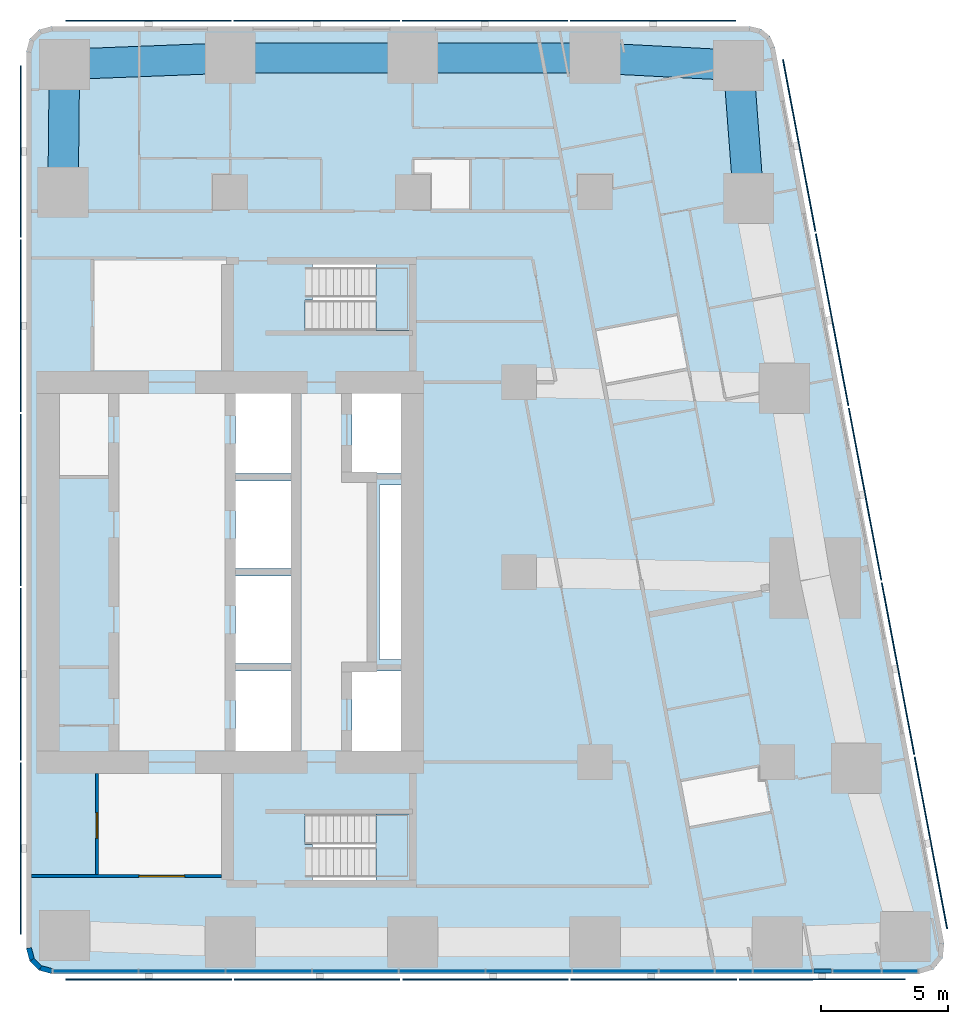
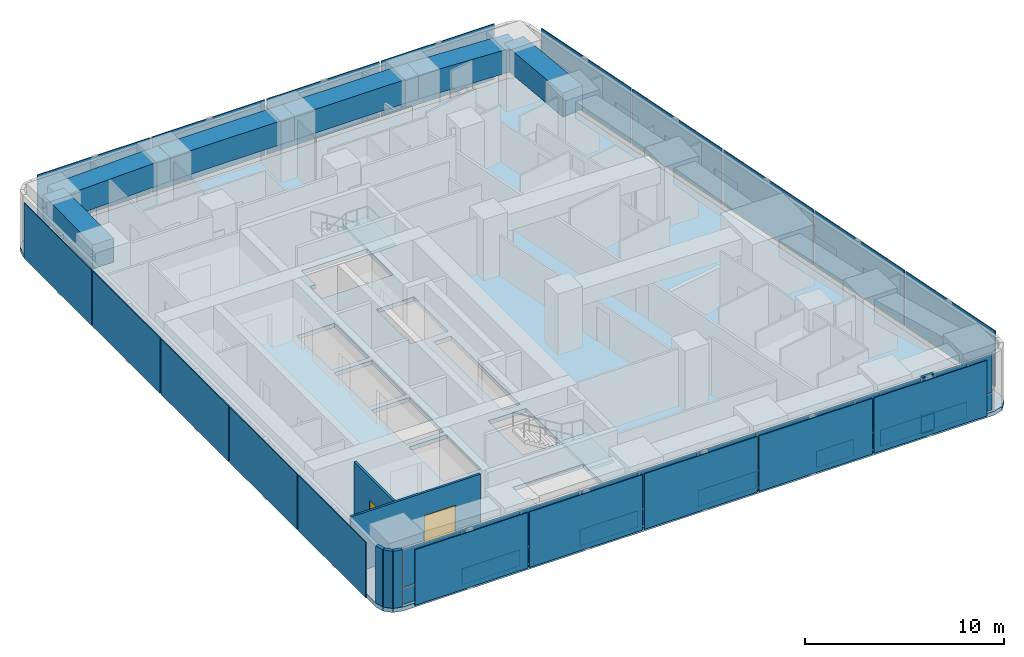
# One storey, part 4 of 10: 45 plates, 6 beams, 5 walls, 3 members, 3 slabs, 2 doors, 2 openings, 3 elements without a shape of their own.
"""IFC4 building model written with IfcOpenShell, lengths in metres."""

from ifc_helpers import new_model, si_unit, direction, frame, frame_2d, origin, origin_2d, place, context, subcontext, project, spatial, polyline, rectangle, outline, extrude, material, layer, layer_set, material_profile, profile_set, type_object, element, fill, aggregate, save


model = new_model("IFC4")

# Units and contexts
model_context = context("Model", 3, precision=1e-05, world=origin(), true_north=direction((0.0, 1.0)))
body_context = subcontext(model_context, "Body", "Model", "MODEL_VIEW")
ifc_project = project(units=[si_unit("LENGTHUNIT", "METRE"), si_unit("AREAUNIT", "SQUARE_METRE"), si_unit("VOLUMEUNIT", "CUBIC_METRE"), si_unit("PLANEANGLEUNIT", "RADIAN"), si_unit("MASSUNIT", "GRAM", prefix="KILO")], contexts=[model_context])

# Site, building, storey
site_placement = place(None, origin())
site = spatial("IfcSite", under=ifc_project, at=site_placement, CompositionType="ELEMENT")
building_placement = place(site_placement, origin())
building = spatial("IfcBuilding", under=site, at=building_placement, Name="Sheger Commons Tower", CompositionType="ELEMENT")
storey_placement = place(building_placement, frame((0.0, 0.0, 289.10009765625)))
storey = spatial("IfcBuildingStorey", under=building, at=storey_placement, Name="L74", CompositionType="ELEMENT", Elevation=289.10009765625)

# Beams
ifc_material_1 = material(Name="Concrete C50/60", Category="concrete")
ifc_material_profile_1 = material_profile(ifc_material_1, rectangle(XDim=1.199951171875, YDim=1.449951171875, at=origin_2d()), Name="RC 1200x1450")
ifc_profile_set_1 = profile_set([ifc_material_profile_1], Name="Concrete C50/60")
beam_type = type_object("IfcBeamType", Name="SPANDREL RC 1200x1450", PredefinedType="SPANDREL", material=ifc_profile_set_1)
beam_1_placement = place(storey_placement, frame((42.06396484375, 37.262939453125, 2.77490234375), z_axis=(-0.075496345854, 0.997146078447, 0.0), x_axis=(-0.997146078447, -0.075496345854, 0.0)))
element("IfcBeam", 1, at=beam_1_placement, inside=storey, type_object=beam_type, Name="Beam E/F-E/G-1.8 under L75", PredefinedType="SPANDREL", context=body_context, shape_type="SweptSolid", body=[
    extrude(rectangle(XDim=1.199951171875, YDim=1.449951171875, at=origin_2d()), origin(), (0.0, 0.0, 1.0), 5.258056640625),
])
beam_2_placement = place(storey_placement, frame((41.6669921875, 42.506103515625, 2.77490234375), z_axis=(-0.998657474351, 0.051800086124, 0.0), x_axis=(-0.051800086124, -0.998657474351, 0.0)))
element("IfcBeam", 2, at=beam_2_placement, inside=storey, type_object=beam_type, Name="Beam E/G-1.8-6/G-1.8 under L75", PredefinedType="SPANDREL", context=body_context, shape_type="SweptSolid", body=[
    extrude(rectangle(XDim=1.199951171875, YDim=1.449951171875, at=origin_2d()), origin(), (0.0, 0.0, 1.0), 5.674560546875),
])
for number, where, z_axis, x_axis, name in (
    (3, (36.0, 42.800048828125, 2.77490234375), (-1.0, 0.0, 0.0), (0.0, -1.0, 0.0), "Beam 6/G-1.8-5/G-1.8 under L75"),
    (4, (28.800048828125, 42.800048828125, 2.77490234375), (-1.0, 0.0, 0.0), (0.0, -1.0, 0.0), "Beam 5/G-1.8-4/G-1.8 under L75"),
):
    element("IfcBeam", number, at=place(storey_placement, frame(where, z_axis=z_axis, x_axis=x_axis)), inside=storey, type_object=beam_type, Name=name, PredefinedType="SPANDREL", context=body_context, shape_type="SweptSolid", body=[
        extrude(rectangle(XDim=1.199951171875, YDim=1.449951171875, at=origin_2d()), origin(), (0.0, 0.0, 1.0), 7.199951171875),
    ])
beam_3_placement = place(storey_placement, frame((21.60009765625, 42.800048828125, 2.77490234375), z_axis=(-0.999247181966, -0.038795223079, 0.0), x_axis=(0.038795223079, -0.999247181966, 0.0)))
element("IfcBeam", 5, at=beam_3_placement, inside=storey, type_object=beam_type, Name="Beam 4/G-1.8-3/G-1.8 under L75", PredefinedType="SPANDREL", context=body_context, shape_type="SweptSolid", body=[
    extrude(rectangle(XDim=1.199951171875, YDim=1.449951171875, at=origin_2d()), origin(), (0.0, 0.0, 1.0), 6.551025390625),
])
beam_4_placement = place(storey_placement, frame((15.053955078125, 42.5458984375, 2.77490234375), z_axis=(-0.010692247282, -0.99994283629, 0.0), x_axis=(0.99994283629, -0.010692247282, 0.0)))
element("IfcBeam", 6, at=beam_4_placement, inside=storey, type_object=beam_type, Name="Beam 3/G-1.8-3/F under L75", PredefinedType="SPANDREL", context=body_context, shape_type="SweptSolid", body=[
    extrude(rectangle(XDim=1.199951171875, YDim=1.449951171875, at=origin_2d()), origin(), (0.0, 0.0, 1.0), 5.046142578125),
])

# Curtain wall, members, plates
ifc_material_2 = material(Name="Black aluminium curtain wall, dark tinted glazing", Category="aluminium")
curtain_wall_type = type_object("IfcCurtainWallType", Name="CURTAIN WALL CW5 SOUTH GALLERY", PredefinedType="USERDEFINED", material=ifc_material_2)
curtain_wall_placement = place(storey_placement, origin())
curtain_wall = element("IfcCurtainWall", 7, at=curtain_wall_placement, inside=storey, type_object=curtain_wall_type, Name="Curtain Wall Cw5 South Gallery S1 L74", ObjectType="UNITISED CURTAIN WALL", PredefinedType="USERDEFINED")
ifc_material_3 = material(Name="Black anodised aluminium", Category="aluminium")
ifc_material_profile_2 = material_profile(ifc_material_3, rectangle(XDim=0.14990234375, YDim=0.06494140625, at=origin_2d()), Name="AL 65x150")
ifc_profile_set_2 = profile_set([ifc_material_profile_2], Name="Black anodised aluminium")
member_type = type_object("IfcMemberType", Name="TRANSOM AL 65x150", PredefinedType="USERDEFINED", material=ifc_profile_set_2)
member_1_placement = place(storey_placement, frame((44.638427734375, 6.75, 0.032470703125), z_axis=(1.0, 0.0, 0.0), x_axis=(0.0, 1.0, 0.0)))
member_1 = element("IfcMember", 8, at=member_1_placement, type_object=member_type, Name="CW5 transom 11.1", ObjectType="TRANSOM", PredefinedType="USERDEFINED", context=body_context, shape_type="SweptSolid", body=[
    extrude(rectangle(XDim=0.14990234375, YDim=0.06494140625, at=origin_2d()), origin(), (0.0, 0.0, 1.0), 0.694091796875),
])
member_2_placement = place(storey_placement, frame((44.638427734375, 6.75, 1.099853515625), z_axis=(1.0, 0.0, 0.0), x_axis=(0.0, 1.0, 0.0)))
member_2 = element("IfcMember", 9, at=member_2_placement, type_object=member_type, Name="CW5 transom 11.2", ObjectType="TRANSOM", PredefinedType="USERDEFINED", context=body_context, shape_type="SweptSolid", body=[
    extrude(rectangle(XDim=0.14990234375, YDim=0.06494140625, at=origin_2d()), origin(), (0.0, 0.0, 1.0), 0.694091796875),
])
member_3_placement = place(storey_placement, frame((44.638427734375, 6.75, 3.46728515625), z_axis=(1.0, 0.0, 0.0), x_axis=(0.0, 1.0, 0.0)))
member_3 = element("IfcMember", 10, at=member_3_placement, type_object=member_type, Name="CW5 transom 11.3", ObjectType="TRANSOM", PredefinedType="USERDEFINED", context=body_context, shape_type="SweptSolid", body=[
    extrude(rectangle(XDim=0.14990234375, YDim=0.06494140625, at=origin_2d()), origin(), (0.0, 0.0, 1.0), 0.694091796875),
])
ifc_material_4 = material(Name="Dark tinted double glazing", Category="glass")
ifc_layer_1 = layer(ifc_material_4, 0.031982421875)
ifc_layer_set_1 = layer_set([ifc_layer_1], Name="GLAZED PANEL 32")
plate_type_1 = type_object("IfcPlateType", Name="GLAZED PANEL 32", PredefinedType="CURTAIN_PANEL", material=ifc_layer_set_1)
plate_1_placement = place(storey_placement, frame((16.290283203125, 6.75, 0.06494140625), z_axis=(0.0, 0.0, 1.0), x_axis=(1.0, 0.0, 0.0)))
plate_1 = element("IfcPlate", 11, at=plate_1_placement, type_object=plate_type_1, Name="CW5 panel 1.1", PredefinedType="CURTAIN_PANEL", context=body_context, shape_type="SweptSolid", body=[
    extrude(rectangle(XDim=3.324462890625, YDim=0.031982421875, at=origin_2d()), origin(), (0.0, 0.0, 1.0), 1.00244140625),
])
plate_2_placement = place(storey_placement, frame((16.290283203125, 6.75, 1.13232421875), z_axis=(0.0, 0.0, 1.0), x_axis=(1.0, 0.0, 0.0)))
plate_2 = element("IfcPlate", 12, at=plate_2_placement, type_object=plate_type_1, Name="CW5 panel 1.2", PredefinedType="CURTAIN_PANEL", context=body_context, shape_type="SweptSolid", body=[
    extrude(rectangle(XDim=3.324462890625, YDim=0.031982421875, at=origin_2d()), origin(), (0.0, 0.0, 1.0), 2.302490234375),
])
plate_3_placement = place(storey_placement, frame((19.696533203125, 6.75, 0.06494140625), z_axis=(0.0, 0.0, 1.0), x_axis=(1.0, 0.0, 0.0)))
plate_3 = element("IfcPlate", 13, at=plate_3_placement, type_object=plate_type_1, Name="CW5 panel 2.1", PredefinedType="CURTAIN_PANEL", context=body_context, shape_type="SweptSolid", body=[
    extrude(rectangle(XDim=3.35791015625, YDim=0.031982421875, at=origin_2d()), origin(), (0.0, 0.0, 1.0), 1.00244140625),
])
plate_4_placement = place(storey_placement, frame((19.696533203125, 6.75, 1.13232421875), z_axis=(0.0, 0.0, 1.0), x_axis=(1.0, 0.0, 0.0)))
plate_4 = element("IfcPlate", 14, at=plate_4_placement, type_object=plate_type_1, Name="CW5 panel 2.2", PredefinedType="CURTAIN_PANEL", context=body_context, shape_type="SweptSolid", body=[
    extrude(rectangle(XDim=3.35791015625, YDim=0.031982421875, at=origin_2d()), origin(), (0.0, 0.0, 1.0), 2.302490234375),
])
plate_5_placement = place(storey_placement, frame((23.118896484375, 6.75, 0.06494140625), z_axis=(0.0, 0.0, 1.0), x_axis=(1.0, 0.0, 0.0)))
plate_5 = element("IfcPlate", 15, at=plate_5_placement, type_object=plate_type_1, Name="CW5 panel 3.1", PredefinedType="CURTAIN_PANEL", context=body_context, shape_type="SweptSolid", body=[
    extrude(rectangle(XDim=3.35693359375, YDim=0.031982421875, at=origin_2d()), origin(), (0.0, 0.0, 1.0), 1.00244140625),
])
plate_6_placement = place(storey_placement, frame((23.118896484375, 6.75, 1.13232421875), z_axis=(0.0, 0.0, 1.0), x_axis=(1.0, 0.0, 0.0)))
plate_6 = element("IfcPlate", 16, at=plate_6_placement, type_object=plate_type_1, Name="CW5 panel 3.2", PredefinedType="CURTAIN_PANEL", context=body_context, shape_type="SweptSolid", body=[
    extrude(rectangle(XDim=3.35693359375, YDim=0.031982421875, at=origin_2d()), origin(), (0.0, 0.0, 1.0), 2.302490234375),
])
plate_7_placement = place(storey_placement, frame((26.54150390625, 6.75, 0.06494140625), z_axis=(0.0, 0.0, 1.0), x_axis=(1.0, 0.0, 0.0)))
plate_7 = element("IfcPlate", 17, at=plate_7_placement, type_object=plate_type_1, Name="CW5 panel 4.1", PredefinedType="CURTAIN_PANEL", context=body_context, shape_type="SweptSolid", body=[
    extrude(rectangle(XDim=3.35791015625, YDim=0.031982421875, at=origin_2d()), origin(), (0.0, 0.0, 1.0), 1.00244140625),
])
plate_8_placement = place(storey_placement, frame((26.54150390625, 6.75, 1.13232421875), z_axis=(0.0, 0.0, 1.0), x_axis=(1.0, 0.0, 0.0)))
plate_8 = element("IfcPlate", 18, at=plate_8_placement, type_object=plate_type_1, Name="CW5 panel 4.2", PredefinedType="CURTAIN_PANEL", context=body_context, shape_type="SweptSolid", body=[
    extrude(rectangle(XDim=3.35791015625, YDim=0.031982421875, at=origin_2d()), origin(), (0.0, 0.0, 1.0), 2.302490234375),
])
plate_9_placement = place(storey_placement, frame((29.964111328125, 6.75, 0.06494140625), z_axis=(0.0, 0.0, 1.0), x_axis=(1.0, 0.0, 0.0)))
plate_9 = element("IfcPlate", 19, at=plate_9_placement, type_object=plate_type_1, Name="CW5 panel 5.1", PredefinedType="CURTAIN_PANEL", context=body_context, shape_type="SweptSolid", body=[
    extrude(rectangle(XDim=3.35693359375, YDim=0.031982421875, at=origin_2d()), origin(), (0.0, 0.0, 1.0), 1.00244140625),
])
plate_10_placement = place(storey_placement, frame((29.964111328125, 6.75, 1.13232421875), z_axis=(0.0, 0.0, 1.0), x_axis=(1.0, 0.0, 0.0)))
plate_10 = element("IfcPlate", 20, at=plate_10_placement, type_object=plate_type_1, Name="CW5 panel 5.2", PredefinedType="CURTAIN_PANEL", context=body_context, shape_type="SweptSolid", body=[
    extrude(rectangle(XDim=3.35693359375, YDim=0.031982421875, at=origin_2d()), origin(), (0.0, 0.0, 1.0), 2.302490234375),
])
plate_11_placement = place(storey_placement, frame((33.385986328125, 6.75, 0.06494140625), z_axis=(0.0, 0.0, 1.0), x_axis=(1.0, 0.0, 0.0)))
plate_11 = element("IfcPlate", 21, at=plate_11_placement, type_object=plate_type_1, Name="CW5 panel 6.1", PredefinedType="CURTAIN_PANEL", context=body_context, shape_type="SweptSolid", body=[
    extrude(rectangle(XDim=3.35693359375, YDim=0.031982421875, at=origin_2d()), origin(), (0.0, 0.0, 1.0), 1.00244140625),
])
plate_12_placement = place(storey_placement, frame((33.385986328125, 6.75, 1.13232421875), z_axis=(0.0, 0.0, 1.0), x_axis=(1.0, 0.0, 0.0)))
plate_12 = element("IfcPlate", 22, at=plate_12_placement, type_object=plate_type_1, Name="CW5 panel 6.2", PredefinedType="CURTAIN_PANEL", context=body_context, shape_type="SweptSolid", body=[
    extrude(rectangle(XDim=3.35693359375, YDim=0.031982421875, at=origin_2d()), origin(), (0.0, 0.0, 1.0), 2.302490234375),
])
plate_13_placement = place(storey_placement, frame((36.80859375, 6.75, 0.06494140625), z_axis=(0.0, 0.0, 1.0), x_axis=(1.0, 0.0, 0.0)))
plate_13 = element("IfcPlate", 23, at=plate_13_placement, type_object=plate_type_1, Name="CW5 panel 7.1", PredefinedType="CURTAIN_PANEL", context=body_context, shape_type="SweptSolid", body=[
    extrude(rectangle(XDim=3.35791015625, YDim=0.031982421875, at=origin_2d()), origin(), (0.0, 0.0, 1.0), 1.00244140625),
])
plate_14_placement = place(storey_placement, frame((36.80859375, 6.75, 1.13232421875), z_axis=(0.0, 0.0, 1.0), x_axis=(1.0, 0.0, 0.0)))
plate_14 = element("IfcPlate", 24, at=plate_14_placement, type_object=plate_type_1, Name="CW5 panel 7.2", PredefinedType="CURTAIN_PANEL", context=body_context, shape_type="SweptSolid", body=[
    extrude(rectangle(XDim=3.35791015625, YDim=0.031982421875, at=origin_2d()), origin(), (0.0, 0.0, 1.0), 2.302490234375),
])
plate_15_placement = place(storey_placement, frame((39.62451171875, 6.75, 0.06494140625), z_axis=(0.0, 0.0, 1.0), x_axis=(1.0, 0.0, 0.0)))
plate_15 = element("IfcPlate", 25, at=plate_15_placement, type_object=plate_type_1, Name="CW5 panel 8.1", PredefinedType="CURTAIN_PANEL", context=body_context, shape_type="SweptSolid", body=[
    extrude(rectangle(XDim=2.14404296875, YDim=0.031982421875, at=origin_2d()), origin(), (0.0, 0.0, 1.0), 1.00244140625),
])
plate_16_placement = place(storey_placement, frame((39.62451171875, 6.75, 1.13232421875), z_axis=(0.0, 0.0, 1.0), x_axis=(1.0, 0.0, 0.0)))
plate_16 = element("IfcPlate", 26, at=plate_16_placement, type_object=plate_type_1, Name="CW5 panel 8.2", PredefinedType="CURTAIN_PANEL", context=body_context, shape_type="SweptSolid", body=[
    extrude(rectangle(XDim=2.14404296875, YDim=0.031982421875, at=origin_2d()), origin(), (0.0, 0.0, 1.0), 2.302490234375),
])
plate_17_placement = place(storey_placement, frame((41.478515625, 6.75, 0.06494140625), z_axis=(0.0, 0.0, 1.0), x_axis=(1.0, 0.0, 0.0)))
plate_17 = element("IfcPlate", 27, at=plate_17_placement, type_object=plate_type_1, Name="CW5 panel 9.1", PredefinedType="CURTAIN_PANEL", context=body_context, shape_type="SweptSolid", body=[
    extrude(rectangle(XDim=1.43408203125, YDim=0.031982421875, at=origin_2d()), origin(), (0.0, 0.0, 1.0), 1.00244140625),
])
plate_18_placement = place(storey_placement, frame((41.478515625, 6.75, 1.13232421875), z_axis=(0.0, 0.0, 1.0), x_axis=(1.0, 0.0, 0.0)))
plate_18 = element("IfcPlate", 28, at=plate_18_placement, type_object=plate_type_1, Name="CW5 panel 9.2", PredefinedType="CURTAIN_PANEL", context=body_context, shape_type="SweptSolid", body=[
    extrude(rectangle(XDim=1.43408203125, YDim=0.031982421875, at=origin_2d()), origin(), (0.0, 0.0, 1.0), 2.302490234375),
])
plate_19_placement = place(storey_placement, frame((43.4169921875, 6.75, 0.06494140625), z_axis=(0.0, 0.0, 1.0), x_axis=(1.0, 0.0, 0.0)))
plate_19 = element("IfcPlate", 29, at=plate_19_placement, type_object=plate_type_1, Name="CW5 panel 10.1", PredefinedType="CURTAIN_PANEL", context=body_context, shape_type="SweptSolid", body=[
    extrude(rectangle(XDim=2.31298828125, YDim=0.031982421875, at=origin_2d()), origin(), (0.0, 0.0, 1.0), 1.00244140625),
])
plate_20_placement = place(storey_placement, frame((43.4169921875, 6.75, 1.13232421875), z_axis=(0.0, 0.0, 1.0), x_axis=(1.0, 0.0, 0.0)))
plate_20 = element("IfcPlate", 30, at=plate_20_placement, type_object=plate_type_1, Name="CW5 panel 10.2", PredefinedType="CURTAIN_PANEL", context=body_context, shape_type="SweptSolid", body=[
    extrude(rectangle(XDim=2.31298828125, YDim=0.031982421875, at=origin_2d()), origin(), (0.0, 0.0, 1.0), 2.302490234375),
])
plate_21_placement = place(storey_placement, frame((44.985595703125, 6.75, 0.06494140625), z_axis=(0.0, 0.0, 1.0), x_axis=(1.0, 0.0, 0.0)))
plate_21 = element("IfcPlate", 31, at=plate_21_placement, type_object=plate_type_1, Name="CW5 panel 11.1", PredefinedType="CURTAIN_PANEL", context=body_context, shape_type="SweptSolid", body=[
    extrude(rectangle(XDim=0.694091796875, YDim=0.031982421875, at=origin_2d()), origin(), (0.0, 0.0, 1.0), 1.00244140625),
])
plate_22_placement = place(storey_placement, frame((44.985595703125, 6.75, 1.13232421875), z_axis=(0.0, 0.0, 1.0), x_axis=(1.0, 0.0, 0.0)))
plate_22 = element("IfcPlate", 32, at=plate_22_placement, type_object=plate_type_1, Name="CW5 panel 11.2", PredefinedType="CURTAIN_PANEL", context=body_context, shape_type="SweptSolid", body=[
    extrude(rectangle(XDim=0.694091796875, YDim=0.031982421875, at=origin_2d()), origin(), (0.0, 0.0, 1.0), 2.302490234375),
])
plate_23_placement = place(storey_placement, frame((46.342041015625, 6.75, 0.06494140625), z_axis=(0.0, 0.0, 1.0), x_axis=(1.0, 0.0, 0.0)))
plate_23 = element("IfcPlate", 33, at=plate_23_placement, type_object=plate_type_1, Name="CW5 panel 12.1", PredefinedType="CURTAIN_PANEL", context=body_context, shape_type="SweptSolid", body=[
    extrude(rectangle(XDim=1.888916015625, YDim=0.031982421875, at=origin_2d()), origin(), (0.0, 0.0, 1.0), 1.00244140625),
])
plate_24_placement = place(storey_placement, frame((46.342041015625, 6.75, 1.13232421875), z_axis=(0.0, 0.0, 1.0), x_axis=(1.0, 0.0, 0.0)))
plate_24 = element("IfcPlate", 34, at=plate_24_placement, type_object=plate_type_1, Name="CW5 panel 12.2", PredefinedType="CURTAIN_PANEL", context=body_context, shape_type="SweptSolid", body=[
    extrude(rectangle(XDim=1.888916015625, YDim=0.031982421875, at=origin_2d()), origin(), (0.0, 0.0, 1.0), 2.302490234375),
])
plate_25_placement = place(storey_placement, frame((48.036865234375, 6.75, 0.06494140625), z_axis=(0.0, 0.0, 1.0), x_axis=(1.0, 0.0, 0.0)))
plate_25 = element("IfcPlate", 35, at=plate_25_placement, type_object=plate_type_1, Name="CW5 panel 13.1", PredefinedType="CURTAIN_PANEL", context=body_context, shape_type="SweptSolid", body=[
    extrude(rectangle(XDim=1.37060546875, YDim=0.031982421875, at=origin_2d()), origin(), (0.0, 0.0, 1.0), 1.00244140625),
])
plate_26_placement = place(storey_placement, frame((48.036865234375, 6.75, 1.13232421875), z_axis=(0.0, 0.0, 1.0), x_axis=(1.0, 0.0, 0.0)))
plate_26 = element("IfcPlate", 36, at=plate_26_placement, type_object=plate_type_1, Name="CW5 panel 13.2", PredefinedType="CURTAIN_PANEL", context=body_context, shape_type="SweptSolid", body=[
    extrude(rectangle(XDim=1.37060546875, YDim=0.031982421875, at=origin_2d()), origin(), (0.0, 0.0, 1.0), 2.302490234375),
])
aggregate(curtain_wall, [plate_1, plate_2, plate_3, plate_4, plate_5, plate_6, plate_7, plate_8, plate_9, plate_10, plate_11, plate_12, plate_13, plate_14, plate_15, plate_16, plate_17, plate_18, plate_19, plate_20, member_1, member_2, member_3, plate_21, plate_22, plate_23, plate_24, plate_25, plate_26])

# Slab
ifc_material_5 = material(Name="Concrete C35/45", Category="concrete")
ifc_layer_2 = layer(ifc_material_5, 0.25)
ifc_layer_set_2 = layer_set([ifc_layer_2], Name="SLAB FLOOR 250")
slab_type_1 = type_object("IfcSlabType", Name="SLAB FLOOR 250", PredefinedType="FLOOR", material=ifc_layer_set_2)
slab_1_placement = place(storey_placement, frame((0.0, 0.0, -0.25)))
element("IfcSlab", 37, at=slab_1_placement, inside=storey, type_object=slab_type_1, Name="L74 floor slab", PredefinedType="FLOOR", context=body_context, shape_type="SweptSolid", body=[
    extrude(outline(polyline([(13.550048828125, 7.64990234375), (13.68408203125, 7.14990234375), (14.050048828125, 6.783935546875), (14.550048828125, 6.64990234375), (48.802001953125, 6.64990234375), (49.35498046875, 6.81689453125), (49.72412109375, 7.260986328125), (49.784912109375, 7.8359375), (43.097900390625, 43.236083984375), (42.912109375, 43.654052734375), (42.56005859375, 43.945068359375), (42.114990234375, 44.050048828125), (14.550048828125, 44.050048828125), (14.050048828125, 43.916015625), (13.68408203125, 43.550048828125), (13.550048828125, 43.050048828125), (13.550048828125, 7.64990234375)]), holes=[polyline([(24.85009765625, 10.35009765625), (28.64990234375, 10.35009765625), (28.64990234375, 12.949951171875), (24.551025390625, 12.949951171875), (24.551025390625, 11.75), (24.85009765625, 11.75), (24.85009765625, 10.35009765625)]), polyline([(24.551025390625, 32.050048828125), (28.64990234375, 32.050048828125), (28.64990234375, 34.64990234375), (24.85009765625, 34.64990234375), (24.85009765625, 33.25), (24.551025390625, 33.25), (24.551025390625, 32.050048828125)]), polyline([(26.39990234375, 15.14990234375), (28.60009765625, 15.14990234375), (28.60009765625, 18.60009765625), (26.39990234375, 18.60009765625), (26.39990234375, 15.14990234375)]), polyline([(26.39990234375, 26.39990234375), (28.60009765625, 26.39990234375), (28.60009765625, 29.85009765625), (26.39990234375, 29.85009765625), (26.39990234375, 26.39990234375)]), polyline([(21.800048828125, 15.14990234375), (24.0, 15.14990234375), (24.0, 18.60009765625), (21.800048828125, 18.60009765625), (21.800048828125, 15.14990234375)]), polyline([(21.800048828125, 18.89990234375), (24.0, 18.89990234375), (24.0, 22.35009765625), (21.800048828125, 22.35009765625), (21.800048828125, 18.89990234375)]), polyline([(21.800048828125, 22.64990234375), (24.0, 22.64990234375), (24.0, 26.10009765625), (21.800048828125, 26.10009765625), (21.800048828125, 22.64990234375)]), polyline([(21.800048828125, 26.39990234375), (24.0, 26.39990234375), (24.0, 29.85009765625), (21.800048828125, 29.85009765625), (21.800048828125, 26.39990234375)]), polyline([(27.5, 19.050048828125), (28.5, 19.050048828125), (28.5, 25.949951171875), (27.5, 25.949951171875), (27.5, 19.050048828125)])]), origin(), (0.0, 0.0, 1.0), 0.25),
])

# Plates
ifc_material_6 = material(Name="Perforated black anodised aluminium screen", Category="aluminium")
ifc_layer_3 = layer(ifc_material_6, 0.050048828125)
ifc_layer_set_3 = layer_set([ifc_layer_3], Name="SOLAR SCREEN SCREEN-1")
plate_type_2 = type_object("IfcPlateType", Name="SOLAR SCREEN SCREEN-1", PredefinedType="USERDEFINED", material=ifc_layer_set_3)
for number, where, z_axis, x_axis, name in (
    (38, (18.375, 6.425048828125, 0.050048828125), (0.0, 0.0, 1.0), (1.0, 0.0, 0.0), "Perforated solar screen panel"),
    (39, (25.02587890625, 6.425048828125, 0.050048828125), (0.0, 0.0, 1.0), (1.0, 0.0, 0.0), "Perforated solar screen panel"),
    (40, (31.676025390625, 6.425048828125, 0.050048828125), (0.0, 0.0, 1.0), (1.0, 0.0, 0.0), "Perforated solar screen panel"),
    (41, (38.325927734375, 6.425048828125, 0.050048828125), (0.0, 0.0, 1.0), (1.0, 0.0, 0.0), "Perforated solar screen panel"),
    (42, (44.97705078125, 6.425048828125, 0.050048828125), (0.0, 0.0, 1.0), (1.0, 0.0, 0.0), "Perforated solar screen panel"),
):
    element("IfcPlate", number, at=place(storey_placement, frame(where, z_axis=z_axis, x_axis=x_axis)), inside=storey, type_object=plate_type_2, Name=name, ObjectType="SCREEN", PredefinedType="USERDEFINED", context=body_context, shape_type="SweptSolid", body=[
        extrude(rectangle(XDim=6.550048828125, YDim=0.050048828125, at=origin_2d()), origin(), (0.0, 0.0, 1.0), 3.39990234375),
    ])
for number, where, z_axis, x_axis, name in (
    (43, (49.262939453125, 11.81103515625, 0.050048828125), (0.0, 0.0, 1.0), (-0.185615165645, 0.982622516678, 0.0), "Perforated solar screen panel"),
    (44, (47.962890625, 18.694091796875, 0.050048828125), (0.0, 0.0, 1.0), (-0.185615165645, 0.982622516678, 0.0), "Perforated solar screen panel"),
    (45, (46.6630859375, 25.577880859375, 0.050048828125), (0.0, 0.0, 1.0), (-0.185615165645, 0.982622516678, 0.0), "Perforated solar screen panel"),
    (46, (45.362060546875, 32.4609375, 0.050048828125), (0.0, 0.0, 1.0), (-0.185615165645, 0.982622516678, 0.0), "Perforated solar screen panel"),
    (47, (44.06201171875, 39.344970703125, 0.050048828125), (0.0, 0.0, 1.0), (-0.185615165645, 0.982622516678, 0.0), "Perforated solar screen panel"),
):
    element("IfcPlate", number, at=place(storey_placement, frame(where, z_axis=z_axis, x_axis=x_axis)), inside=storey, type_object=plate_type_2, Name=name, ObjectType="SCREEN", PredefinedType="USERDEFINED", context=body_context, shape_type="SweptSolid", body=[
        extrude(rectangle(XDim=6.905029296875, YDim=0.050048828125, at=origin_2d()), origin(), (0.0, 0.0, 1.0), 3.39990234375),
    ])
for number, where, z_axis, x_axis, name in (
    (48, (38.2939453125, 44.27490234375, 0.050048828125), (0.0, 0.0, 1.0), (-1.0, 0.0, 0.0), "Perforated solar screen panel"),
    (49, (31.653076171875, 44.27490234375, 0.050048828125), (0.0, 0.0, 1.0), (-1.0, 0.0, 0.0), "Perforated solar screen panel"),
    (50, (25.011962890625, 44.27490234375, 0.050048828125), (0.0, 0.0, 1.0), (-1.0, 0.0, 0.0), "Perforated solar screen panel"),
    (51, (18.37109375, 44.27490234375, 0.050048828125), (0.0, 0.0, 1.0), (-1.0, 0.0, 0.0), "Perforated solar screen panel"),
):
    element("IfcPlate", number, at=place(storey_placement, frame(where, z_axis=z_axis, x_axis=x_axis)), inside=storey, type_object=plate_type_2, Name=name, ObjectType="SCREEN", PredefinedType="USERDEFINED", context=body_context, shape_type="SweptSolid", body=[
        extrude(rectangle(XDim=6.541015625, YDim=0.050048828125, at=origin_2d()), origin(), (0.0, 0.0, 1.0), 3.39990234375),
    ])
for number, where, z_axis, x_axis, name in (
    (52, (13.324951171875, 39.110107421875, 0.050048828125), (0.0, 0.0, 1.0), (0.0, -1.0, 0.0), "Perforated solar screen panel"),
    (53, (13.324951171875, 32.22998046875, 0.050048828125), (0.0, 0.0, 1.0), (0.0, -1.0, 0.0), "Perforated solar screen panel"),
    (54, (13.324951171875, 25.35009765625, 0.050048828125), (0.0, 0.0, 1.0), (0.0, -1.0, 0.0), "Perforated solar screen panel"),
    (55, (13.324951171875, 18.469970703125, 0.050048828125), (0.0, 0.0, 1.0), (0.0, -1.0, 0.0), "Perforated solar screen panel"),
    (56, (13.324951171875, 11.590087890625, 0.050048828125), (0.0, 0.0, 1.0), (0.0, -1.0, 0.0), "Perforated solar screen panel"),
):
    element("IfcPlate", number, at=place(storey_placement, frame(where, z_axis=z_axis, x_axis=x_axis)), inside=storey, type_object=plate_type_2, Name=name, ObjectType="SCREEN", PredefinedType="USERDEFINED", context=body_context, shape_type="SweptSolid", body=[
        extrude(rectangle(XDim=6.780029296875, YDim=0.050048828125, at=origin_2d()), origin(), (0.0, 0.0, 1.0), 3.39990234375),
    ])

# Stair, slab
ifc_material_7 = material(Name="Concrete C35/45", Category="concrete")
stair_type = type_object("IfcStairType", Name="HALF-TURN STAIR 1200 RISE 3750", PredefinedType="HALF_TURN_STAIR", material=ifc_material_7)
stair_1_placement = place(storey_placement, origin())
stair_1 = element("IfcStair", 57, at=stair_1_placement, inside=storey, type_object=stair_type, Name="Stair S1 L74", PredefinedType="HALF_TURN_STAIR")
ifc_material_8 = material(Name="Concrete C35/45", Category="concrete")
ifc_layer_4 = layer(ifc_material_8, 0.199951171875)
ifc_layer_set_4 = layer_set([ifc_layer_4], Name="STAIR LANDING 200")
slab_type_2 = type_object("IfcSlabType", Name="STAIR LANDING 200", PredefinedType="LANDING", material=ifc_layer_set_4)
slab_2_placement = place(storey_placement, frame((0.0, 0.0, 1.6748046875)))
slab_2 = element("IfcSlab", 58, at=slab_2_placement, type_object=slab_type_2, Name="S1 landing 1", PredefinedType="LANDING", context=body_context, shape_type="SweptSolid", body=[
    extrude(outline(polyline([(27.35009765625, 10.199951171875), (28.800048828125, 10.199951171875), (28.800048828125, 12.949951171875), (27.35009765625, 12.949951171875), (27.35009765625, 10.199951171875)])), origin(), (0.0, 0.0, 1.0), 0.2001953125),
])
aggregate(stair_1, [slab_2])

stair_2_placement = place(storey_placement, origin())
stair_2 = element("IfcStair", 59, at=stair_2_placement, inside=storey, type_object=stair_type, Name="Stair S2 L74", PredefinedType="HALF_TURN_STAIR")
slab_3_placement = place(storey_placement, frame((0.0, 0.0, 1.6748046875)))
slab_3 = element("IfcSlab", 60, at=slab_3_placement, type_object=slab_type_2, Name="S2 landing 1", PredefinedType="LANDING", context=body_context, shape_type="SweptSolid", body=[
    extrude(outline(polyline([(27.35009765625, 32.050048828125), (28.800048828125, 32.050048828125), (28.800048828125, 34.800048828125), (27.35009765625, 34.800048828125), (27.35009765625, 32.050048828125)])), origin(), (0.0, 0.0, 1.0), 0.2001953125),
])
aggregate(stair_2, [slab_3])

# Walls
ifc_material_9 = material(Name="Rendered concrete block masonry, dark grey", Category="masonry")
ifc_layer_5 = layer(ifc_material_9, 0.199951171875)
ifc_layer_set_5 = layer_set([ifc_layer_5], Name="FACADE WALL 200")
wall_type_1 = type_object("IfcWallType", Name="FACADE WALL 200", PredefinedType="SOLIDWALL", material=ifc_layer_set_5)
wall_1_placement = place(storey_placement, frame((13.64990234375, 7.6630859375, 0.0), z_axis=(0.0, 0.0, 1.0), x_axis=(0.259698463175, -0.965689757751, 0.0)))
element("IfcWall", 61, at=wall_1_placement, inside=storey, type_object=wall_type_1, Name="Facade wall L74", PredefinedType="SOLIDWALL", context=body_context, shape_type="SweptSolid", body=[
    extrude(rectangle(XDim=0.4775390625, YDim=0.199951171875, at=frame_2d((0.23876953125, 0.0))), origin(), (0.0, 0.0, 1.0), 3.5),
])
wall_2_placement = place(storey_placement, frame((13.77392578125, 7.201904296875, 0.0), z_axis=(0.0, 0.0, 1.0), x_axis=(0.707369890659, -0.706843573776, 0.0)))
element("IfcWall", 62, at=wall_2_placement, inside=storey, type_object=wall_type_1, Name="Facade wall L74", PredefinedType="SOLIDWALL", context=body_context, shape_type="SweptSolid", body=[
    extrude(rectangle(XDim=0.4638671875, YDim=0.199951171875, at=frame_2d((0.23193359375, 0.0))), origin(), (0.0, 0.0, 1.0), 3.5),
])
wall_3_placement = place(storey_placement, frame((14.10205078125, 6.8740234375, 0.0), z_axis=(0.0, 0.0, 1.0), x_axis=(0.965655254015, -0.259826731483, 0.0)))
element("IfcWall", 63, at=wall_3_placement, inside=storey, type_object=wall_type_1, Name="Facade wall L74", PredefinedType="SOLIDWALL", context=body_context, shape_type="SweptSolid", body=[
    extrude(rectangle(XDim=0.477294921875, YDim=0.199951171875, at=frame_2d((0.23876953125, 0.0))), origin(), (0.0, 0.0, 1.0), 3.5),
])

# Wall, opening, door
ifc_material_10 = material(Name="Gypsum board on steel studs, two layers each side, fire rated", Category="steel")
ifc_layer_6 = layer(ifc_material_10, 0.125)
ifc_layer_set_6 = layer_set([ifc_layer_6], Name="SERVICE WALL 125")
wall_type_2 = type_object("IfcWallType", Name="SERVICE WALL 125", PredefinedType="PARTITIONING", material=ifc_layer_set_6)
wall_4_placement = place(storey_placement, frame((13.75, 10.5, 0.0), z_axis=(0.0, 0.0, 1.0), x_axis=(1.0, 0.0, 0.0)))
wall_4 = element("IfcWall", 64, at=wall_4_placement, inside=storey, type_object=wall_type_2, Name="Service room wall L74", PredefinedType="PARTITIONING", context=body_context, shape_type="SweptSolid", body=[
    extrude(rectangle(XDim=7.5, YDim=0.125, at=frame_2d((3.75, 0.0))), origin(), (0.0, 0.0, 1.0), 3.5),
])
opening_1_placement = place(wall_4_placement, frame((4.2451171875, 0.0, 0.0)))
opening_1 = element("IfcOpeningElement", 65, at=opening_1_placement, cuts=wall_4, Name="Opening D6", PredefinedType="OPENING", context=body_context, shape_type="SweptSolid", body=[
    extrude(rectangle(XDim=1.800048828125, YDim=2.10009765625, at=frame_2d((0.89990234375, 1.050048828125))), frame((0.0, 0.072509765625, 0.0), z_axis=(0.0, -1.0, 0.0), x_axis=(1.0, 0.0, 0.0)), (0.0, 0.0, 1.0), 0.14501953125),
])
ifc_material_11 = material(Name="Steel door set, fire rated", Category="steel")
door_type_1 = type_object("IfcDoorType", Name="LOBBY DOUBLE DOOR 1800x2100", OperationType="DOUBLE_DOOR_SINGLE_SWING", PredefinedType="DOOR", material=ifc_material_11)
door_1_placement = place(opening_1_placement, origin())
door_1 = element("IfcDoor", 66, at=door_1_placement, inside=storey, type_object=door_type_1, Name="Lift lobby south door", OperationType="DOUBLE_DOOR_SINGLE_SWING", OverallHeight=2.10009765625, OverallWidth=1.800048828125, PredefinedType="DOOR", context=body_context, shape_type="SweptSolid", body=[
    extrude(rectangle(XDim=1.800048828125, YDim=2.10009765625, at=frame_2d((0.89990234375, 1.050048828125))), frame((0.0, 0.02490234375, 0.0), z_axis=(0.0, -1.0, 0.0), x_axis=(1.0, 0.0, 0.0)), (0.0, 0.0, 1.0), 0.050048828125),
])
fill(opening_1, door_1)

wall_5_placement = place(storey_placement, frame((16.340087890625, 10.56201171875, 0.0), z_axis=(0.0, 0.0, 1.0), x_axis=(0.0, 1.0, 0.0)))
wall_5 = element("IfcWall", 67, at=wall_5_placement, inside=storey, type_object=wall_type_2, Name="Service room wall L74", PredefinedType="PARTITIONING", context=body_context, shape_type="SweptSolid", body=[
    extrude(rectangle(XDim=3.988037109375, YDim=0.125, at=frame_2d((1.994140625, 0.0))), origin(), (0.0, 0.0, 1.0), 3.5),
])
opening_2_placement = place(wall_5_placement, frame((1.43798828125, 0.0, 0.0)))
opening_2 = element("IfcOpeningElement", 68, at=opening_2_placement, cuts=wall_5, Name="Opening D4", PredefinedType="OPENING", context=body_context, shape_type="SweptSolid", body=[
    extrude(rectangle(XDim=1.0, YDim=2.10009765625, at=frame_2d((0.5, 1.050048828125))), frame((0.0, 0.072509765625, 0.0), z_axis=(0.0, -1.0, 0.0), x_axis=(1.0, 0.0, 0.0)), (0.0, 0.0, 1.0), 0.14501953125),
])
ifc_material_12 = material(Name="Steel door set, fire rated", Category="steel")
door_type_2 = type_object("IfcDoorType", Name="SERVICE DOOR 1000x2100", OperationType="NOTDEFINED", PredefinedType="DOOR", material=ifc_material_12)
door_2_placement = place(opening_2_placement, origin())
door_2 = element("IfcDoor", 69, at=door_2_placement, inside=storey, type_object=door_type_2, Name="Electrical room door", OperationType="SINGLE_SWING_LEFT", OverallHeight=2.10009765625, OverallWidth=1.0, PredefinedType="DOOR", context=body_context, shape_type="SweptSolid", body=[
    extrude(rectangle(XDim=1.0, YDim=2.10009765625, at=frame_2d((0.5, 1.050048828125))), frame((0.0, 0.02490234375, 0.0), z_axis=(0.0, -1.0, 0.0), x_axis=(1.0, 0.0, 0.0)), (0.0, 0.0, 1.0), 0.050048828125),
])
fill(opening_2, door_2)

save(model, "model.ifc")
